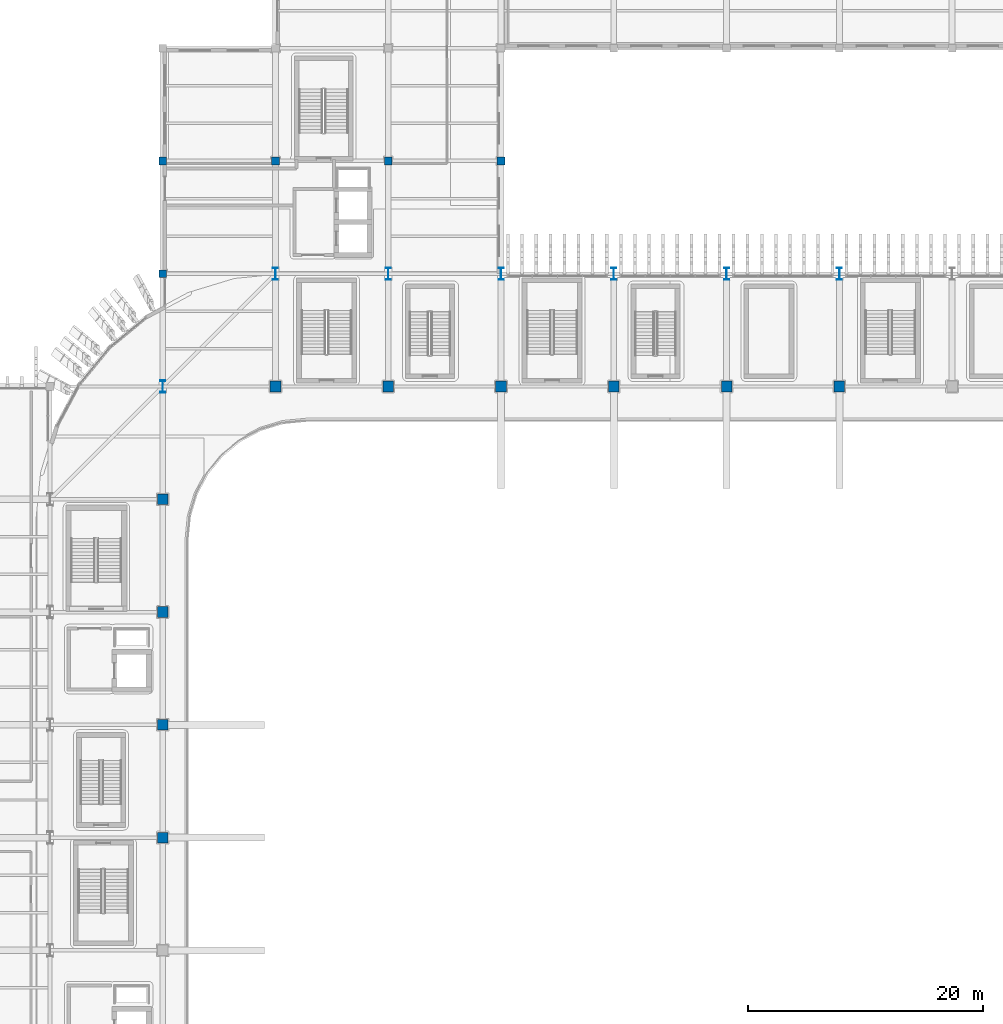
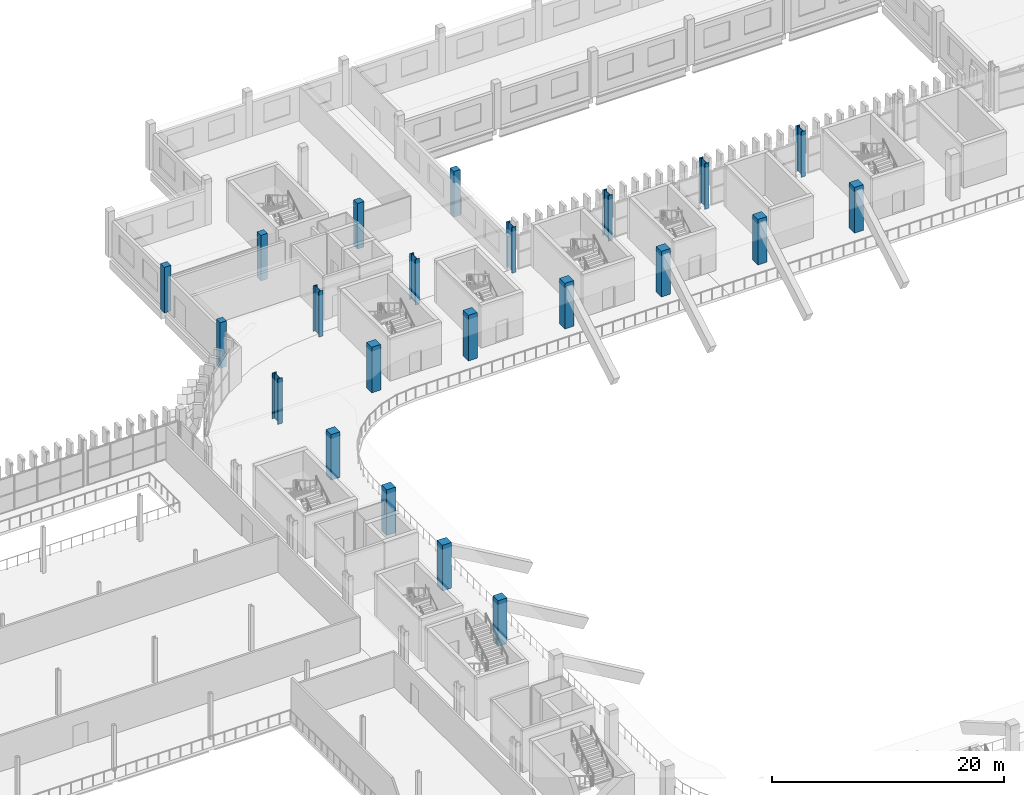
# One storey, part 9 of 100: 22 columns.
"""IFC4 building model written with IfcOpenShell, lengths in metres."""

from ifc_helpers import new_model, si_unit, direction, frame, origin, origin_2d, place, context, subcontext, project, spatial, rectangle, i_section, extrude, material, material_profile, profile_set, type_object, element, save


model = new_model("IFC4")

# Units and contexts
model_context = context("Model", 3, precision=1e-05, world=origin(), true_north=direction((0.0, 1.0)))
body_context = subcontext(model_context, "Body", "Model", "MODEL_VIEW")
ifc_project = project(units=[si_unit("LENGTHUNIT", "METRE"), si_unit("AREAUNIT", "SQUARE_METRE"), si_unit("VOLUMEUNIT", "CUBIC_METRE"), si_unit("PLANEANGLEUNIT", "RADIAN"), si_unit("MASSUNIT", "GRAM", prefix="KILO")], contexts=[model_context])

# Site, building, storey
site_placement = place(None, origin())
site = spatial("IfcSite", under=ifc_project, at=site_placement, CompositionType="ELEMENT")
building_placement = place(site_placement, origin())
building = spatial("IfcBuilding", under=site, at=building_placement, Name="Caelomonte Colonnade Arena", CompositionType="ELEMENT")
storey_placement = place(building_placement, origin())
storey = spatial("IfcBuildingStorey", under=building, at=storey_placement, Name="L00", CompositionType="ELEMENT", Elevation=0.0)

# Columns
ifc_material_1 = material(Name="Concrete C50/60", Category="concrete")
ifc_material_profile_1 = material_profile(ifc_material_1, rectangle(XDim=0.89990234375, YDim=0.89990234375, at=origin_2d()), Name="RC900X900")
ifc_profile_set_1 = profile_set([ifc_material_profile_1], Name="Concrete C50/60")
column_type_1 = type_object("IfcColumnType", Name="STR-COL-RC09", PredefinedType="COLUMN", material=ifc_profile_set_1)
for number, where, z_axis, x_axis, name in (
    (1, (67.199951171875, 67.199951171875, 0.0), (0.0, 0.0, 1.0), (1.0, 0.0, 0.0), "L00 column (67.2, 67.2)"),
    (2, (67.199951171875, 76.800048828125, 0.0), (0.0, 0.0, 1.0), (1.0, 0.0, 0.0), "L00 column (67.2, 76.8)"),
    (3, (67.199951171875, 86.39990234375, 0.0), (0.0, 0.0, 1.0), (1.0, 0.0, 0.0), "L00 column (67.2, 86.4)"),
    (4, (67.199951171875, 96.0, 0.0), (0.0, 0.0, 1.0), (1.0, 0.0, 0.0), "L00 column (67.2, 96.0)"),
    (5, (76.800048828125, 105.60009765625, 0.0), (0.0, 0.0, 1.0), (1.0, 0.0, 0.0), "L00 column (76.8, 105.6)"),
    (6, (86.39990234375, 105.60009765625, 0.0), (0.0, 0.0, 1.0), (1.0, 0.0, 0.0), "L00 column (86.4, 105.6)"),
    (7, (96.0, 105.60009765625, 0.0), (0.0, 0.0, 1.0), (1.0, 0.0, 0.0), "L00 column (96.0, 105.6)"),
    (8, (105.60009765625, 105.60009765625, 0.0), (0.0, 0.0, 1.0), (1.0, 0.0, 0.0), "L00 column (105.6, 105.6)"),
    (9, (115.199951171875, 105.60009765625, 0.0), (0.0, 0.0, 1.0), (1.0, 0.0, 0.0), "L00 column (115.2, 105.6)"),
    (10, (124.800048828125, 105.60009765625, 0.0), (0.0, 0.0, 1.0), (1.0, 0.0, 0.0), "L00 column (124.8, 105.6)"),
):
    element("IfcColumn", number, at=place(storey_placement, frame(where, z_axis=z_axis, x_axis=x_axis)), inside=storey, type_object=column_type_1, Name=name, PredefinedType="COLUMN", context=body_context, shape_type="SweptSolid", body=[
        extrude(rectangle(XDim=0.89990234375, YDim=0.89990234375, at=origin_2d()), origin(), (0.0, 0.0, 1.0), 4.800048828125),
    ])
ifc_material_2 = material(Name="Concrete C40/50", Category="concrete")
ifc_material_profile_2 = material_profile(ifc_material_2, rectangle(XDim=0.64990234375, YDim=0.64990234375, at=origin_2d()), Name="RC650X650")
ifc_profile_set_2 = profile_set([ifc_material_profile_2], Name="Concrete C40/50")
column_type_2 = type_object("IfcColumnType", Name="STR-COL-RC65", PredefinedType="COLUMN", material=ifc_profile_set_2)
for number, where, z_axis, x_axis, name in (
    (11, (67.199951171875, 115.199951171875, 0.0), (0.0, 0.0, 1.0), (1.0, 0.0, 0.0), "L00 column (67.2, 115.2)"),
    (12, (67.199951171875, 124.800048828125, 0.0), (0.0, 0.0, 1.0), (1.0, 0.0, 0.0), "L00 column (67.2, 124.8)"),
    (13, (76.800048828125, 124.800048828125, 0.0), (0.0, 0.0, 1.0), (1.0, 0.0, 0.0), "L00 column (76.8, 124.8)"),
    (14, (86.39990234375, 124.800048828125, 0.0), (0.0, 0.0, 1.0), (1.0, 0.0, 0.0), "L00 column (86.4, 124.8)"),
    (15, (96.0, 124.800048828125, 0.0), (0.0, 0.0, 1.0), (1.0, 0.0, 0.0), "L00 column (96.0, 124.8)"),
):
    element("IfcColumn", number, at=place(storey_placement, frame(where, z_axis=z_axis, x_axis=x_axis)), inside=storey, type_object=column_type_2, Name=name, PredefinedType="COLUMN", context=body_context, shape_type="SweptSolid", body=[
        extrude(rectangle(XDim=0.64990234375, YDim=0.64990234375, at=origin_2d()), origin(), (0.0, 0.0, 1.0), 4.800048828125),
    ])
ifc_material_3 = material(Name="Wide-flange steel ASTM A992 Grade 50", Category="steel")
ifc_material_profile_3 = material_profile(ifc_material_3, i_section(OverallWidth=0.427001953125, OverallDepth=1.04150390625, WebThickness=0.031005859375, FlangeThickness=0.055908203125, FilletRadius=0.030517578125, at=origin_2d()), Name="W40X397")
ifc_profile_set_3 = profile_set([ifc_material_profile_3], Name="Wide-flange steel ASTM A992 Grade 50")
column_type_3 = type_object("IfcColumnType", Name="STR-COL-W40A", PredefinedType="COLUMN", material=ifc_profile_set_3)
for number, where, z_axis, x_axis, name in (
    (16, (67.199951171875, 105.60009765625, 0.0), (0.0, 0.0, 1.0), (1.0, 0.0, 0.0), "L00 column (67.2, 105.6)"),
    (17, (76.800048828125, 115.199951171875, 0.0), (0.0, 0.0, 1.0), (1.0, 0.0, 0.0), "L00 column (76.8, 115.2)"),
    (18, (86.39990234375, 115.199951171875, 0.0), (0.0, 0.0, 1.0), (1.0, 0.0, 0.0), "L00 column (86.4, 115.2)"),
    (19, (96.0, 115.199951171875, 0.0), (0.0, 0.0, 1.0), (1.0, 0.0, 0.0), "L00 column (96.0, 115.2)"),
    (20, (105.60009765625, 115.199951171875, 0.0), (0.0, 0.0, 1.0), (1.0, 0.0, 0.0), "L00 column (105.6, 115.2)"),
    (21, (115.199951171875, 115.199951171875, 0.0), (0.0, 0.0, 1.0), (1.0, 0.0, 0.0), "L00 column (115.2, 115.2)"),
    (22, (124.800048828125, 115.199951171875, 0.0), (0.0, 0.0, 1.0), (1.0, 0.0, 0.0), "L00 column (124.8, 115.2)"),
):
    element("IfcColumn", number, at=place(storey_placement, frame(where, z_axis=z_axis, x_axis=x_axis)), inside=storey, type_object=column_type_3, Name=name, PredefinedType="COLUMN", context=body_context, shape_type="SweptSolid", body=[
        extrude(i_section(OverallWidth=0.427001953125, OverallDepth=1.04150390625, WebThickness=0.031005859375, FlangeThickness=0.055908203125, FilletRadius=0.030517578125, at=origin_2d()), origin(), (0.0, 0.0, 1.0), 4.800048828125),
    ])

save(model, "model.ifc")
